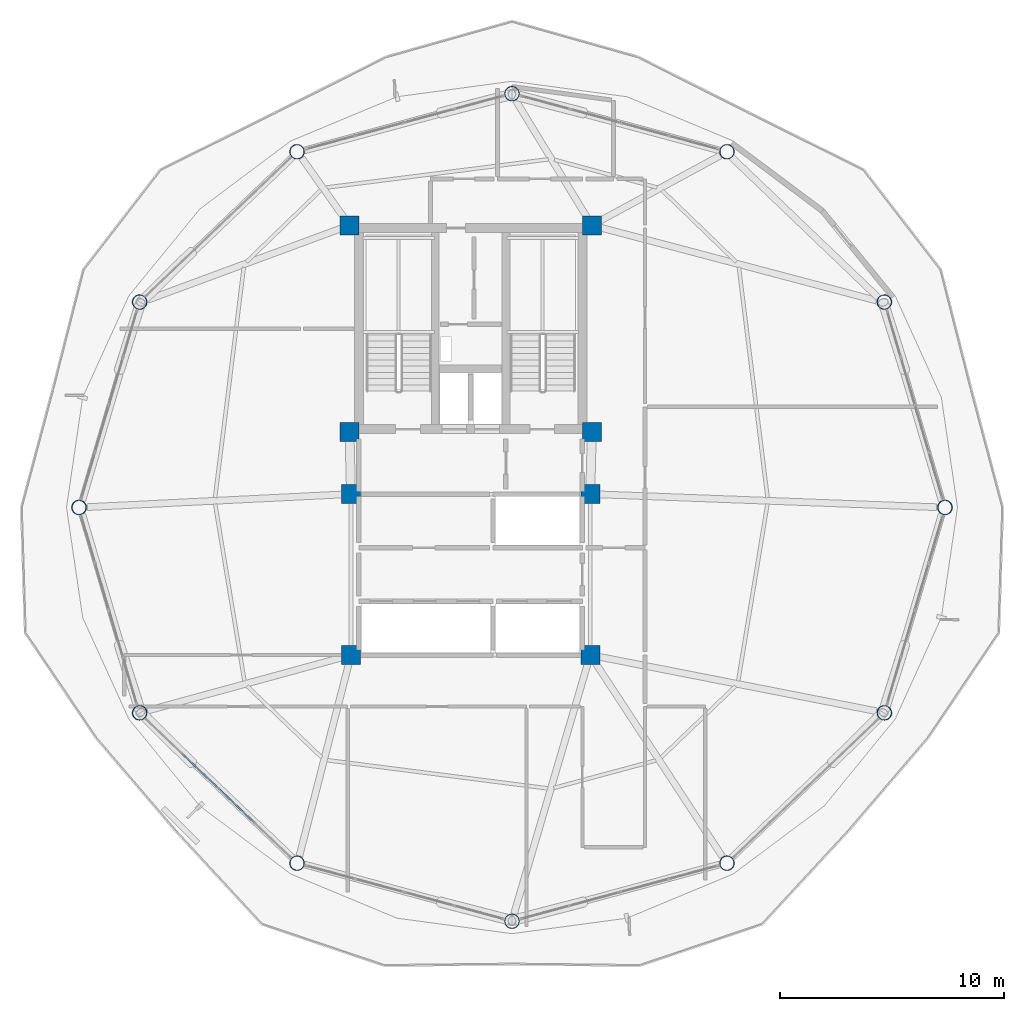
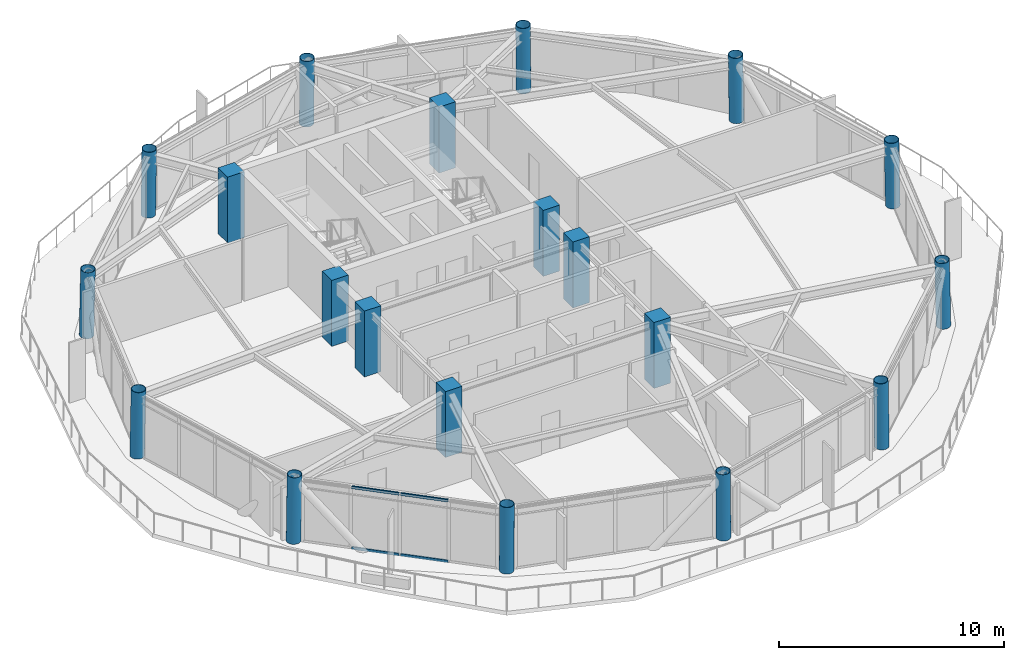
# One storey, part 1 of 28: 20 columns, 4 members, 1 element without a shape of its own.
"""IFC4 building model written with IfcOpenShell, lengths in metres."""

from ifc_helpers import new_model, si_unit, direction, frame, origin, origin_2d, place, context, subcontext, project, spatial, rectangle, hollow_rectangle, hollow_circle, extrude, material, layer, layer_set, material_profile, profile_set, type_object, element, aggregate, save


model = new_model("IFC4")

# Units and contexts
model_context = context("Model", 3, precision=1e-05, world=origin(), true_north=direction((0.0, 1.0)))
body_context = subcontext(model_context, "Body", "Model", "MODEL_VIEW")
ifc_project = project(units=[si_unit("LENGTHUNIT", "METRE"), si_unit("AREAUNIT", "SQUARE_METRE"), si_unit("VOLUMEUNIT", "CUBIC_METRE"), si_unit("PLANEANGLEUNIT", "RADIAN"), si_unit("MASSUNIT", "GRAM", prefix="KILO")], contexts=[model_context])

# Site, building, storey
site_placement = place(None, origin())
site = spatial("IfcSite", under=ifc_project, at=site_placement, CompositionType="ELEMENT")
building_placement = place(site_placement, origin())
building = spatial("IfcBuilding", under=site, at=building_placement, Name="Varnakorn Sky Granary", CompositionType="ELEMENT")
storey_placement = place(building_placement, frame((0.0, 0.0, 200.39990234375)))
storey = spatial("IfcBuildingStorey", under=building, at=storey_placement, Name="L50", CompositionType="ELEMENT", Elevation=200.39990234375)

# Columns
ifc_material_1 = material(Name="Steel S460M", Category="steel")
ifc_material_profile_1 = material_profile(ifc_material_1, hollow_circle(Radius=0.330078125, WallThickness=0.02490234375, at=origin_2d()), Name="CHS 660x25")
ifc_profile_set_1 = profile_set([ifc_material_profile_1], Name="Steel S460M")
column_type_1 = type_object("IfcColumnType", Name="COL-DC-Z4", PredefinedType="COLUMN", material=ifc_profile_set_1)
column_1_placement = place(storey_placement, frame((24.22607421875, 0.0, 0.0), z_axis=(-0.01904871465, 0.0, 0.999818556774), x_axis=(0.0, -1.0, 0.0)))
element("IfcColumn", 1, at=column_1_placement, inside=storey, type_object=column_type_1, Name="Drum Perimeter Column DC01 L50", PredefinedType="COLUMN", context=body_context, shape_type="SweptSolid", body=[
    extrude(hollow_circle(Radius=0.330078125, WallThickness=0.02490234375, at=origin_2d()), origin(), (0.0, 0.0, 1.0), 3.575927734375),
])
column_2_placement = place(storey_placement, frame((21.51318359375, 9.18896484375, 0.0), z_axis=(-0.01645484131, -0.004711137139, 0.999853510963), x_axis=(0.275247949014, -0.961373271193, 0.0)))
element("IfcColumn", 2, at=column_2_placement, inside=storey, type_object=column_type_1, Name="Drum Perimeter Column DC02 L50", PredefinedType="COLUMN", context=body_context, shape_type="SweptSolid", body=[
    extrude(hollow_circle(Radius=0.330078125, WallThickness=0.02490234375, at=origin_2d()), origin(), (0.0, 0.0, 1.0), 3.57568359375),
])
for number, where, z_axis, x_axis, name in (
    (3, (14.470458984375, 15.915771484375, 0.0), (-0.009491195893, -0.008193838181, 0.999921386018), (0.653478078623, -0.756945441072, 0.0), "Drum Perimeter Column DC03 L50"),
    (4, (4.85009765625, 18.512939453125, 0.0), (0.0, -0.009491514524, 0.999954954561), (1.0, 0.0, 0.0), "Drum Perimeter Column DC04 L50"),
    (5, (-4.7705078125, 15.915771484375, 0.0), (0.009491195893, -0.008193838181, 0.999921386018), (0.653478078623, 0.756945441072, 0.0), "Drum Perimeter Column DC05 L50"),
):
    element("IfcColumn", number, at=place(storey_placement, frame(where, z_axis=z_axis, x_axis=x_axis)), inside=storey, type_object=column_type_1, Name=name, PredefinedType="COLUMN", context=body_context, shape_type="SweptSolid", body=[
        extrude(hollow_circle(Radius=0.330078125, WallThickness=0.02490234375, at=origin_2d()), origin(), (0.0, 0.0, 1.0), 3.575439453125),
    ])
column_3_placement = place(storey_placement, frame((-11.813232421875, 9.18896484375, 0.0), z_axis=(0.01645484131, -0.004711137139, 0.999853510963), x_axis=(0.275247949014, 0.961373271193, 0.0)))
element("IfcColumn", 6, at=column_3_placement, inside=storey, type_object=column_type_1, Name="Drum Perimeter Column DC06 L50", PredefinedType="COLUMN", context=body_context, shape_type="SweptSolid", body=[
    extrude(hollow_circle(Radius=0.330078125, WallThickness=0.02490234375, at=origin_2d()), origin(), (0.0, 0.0, 1.0), 3.57568359375),
])
column_4_placement = place(storey_placement, frame((-14.52587890625, 0.0, 0.0), z_axis=(0.018980464328, 0.0, 0.999819854761), x_axis=(0.0, 1.0, 0.0)))
element("IfcColumn", 7, at=column_4_placement, inside=storey, type_object=column_type_1, Name="Drum Perimeter Column DC07 L50", PredefinedType="COLUMN", context=body_context, shape_type="SweptSolid", body=[
    extrude(hollow_circle(Radius=0.330078125, WallThickness=0.02490234375, at=origin_2d()), origin(), (0.0, 0.0, 1.0), 3.575927734375),
])
column_5_placement = place(storey_placement, frame((-11.813232421875, -9.18896484375, 0.0), z_axis=(0.01645484131, 0.004711137139, 0.999853510963), x_axis=(-0.275247949014, 0.961373271193, 0.0)))
element("IfcColumn", 8, at=column_5_placement, inside=storey, type_object=column_type_1, Name="Drum Perimeter Column DC08 L50", PredefinedType="COLUMN", context=body_context, shape_type="SweptSolid", body=[
    extrude(hollow_circle(Radius=0.330078125, WallThickness=0.02490234375, at=origin_2d()), origin(), (0.0, 0.0, 1.0), 3.57568359375),
])
for number, where, z_axis, x_axis, name in (
    (9, (-4.7705078125, -15.915771484375, 0.0), (0.009491195893, 0.008193838181, 0.999921386018), (-0.653478078623, 0.756945441072, 0.0), "Drum Perimeter Column DC09 L50"),
    (10, (4.85009765625, -18.512939453125, 0.0), (0.0, 0.009491514524, 0.999954954561), (-1.0, 0.0, 0.0), "Drum Perimeter Column DC10 L50"),
    (11, (14.470458984375, -15.915771484375, 0.0), (-0.009491195893, 0.008193838181, 0.999921386018), (-0.653478078623, -0.756945441072, 0.0), "Drum Perimeter Column DC11 L50"),
):
    element("IfcColumn", number, at=place(storey_placement, frame(where, z_axis=z_axis, x_axis=x_axis)), inside=storey, type_object=column_type_1, Name=name, PredefinedType="COLUMN", context=body_context, shape_type="SweptSolid", body=[
        extrude(hollow_circle(Radius=0.330078125, WallThickness=0.02490234375, at=origin_2d()), origin(), (0.0, 0.0, 1.0), 3.575439453125),
    ])
column_6_placement = place(storey_placement, frame((21.51318359375, -9.18896484375, 0.0), z_axis=(-0.01645484131, 0.004711137139, 0.999853510963), x_axis=(-0.275247949014, -0.961373271193, 0.0)))
element("IfcColumn", 12, at=column_6_placement, inside=storey, type_object=column_type_1, Name="Drum Perimeter Column DC12 L50", PredefinedType="COLUMN", context=body_context, shape_type="SweptSolid", body=[
    extrude(hollow_circle(Radius=0.330078125, WallThickness=0.02490234375, at=origin_2d()), origin(), (0.0, 0.0, 1.0), 3.57568359375),
])
ifc_material_2 = material(Name="Concrete C50/60", Category="concrete")
ifc_material_profile_2 = material_profile(ifc_material_2, rectangle(XDim=0.85009765625, YDim=0.85009765625, at=origin_2d()), Name="RC 850x850")
ifc_profile_set_2 = profile_set([ifc_material_profile_2], Name="Concrete C50/60")
column_type_2 = type_object("IfcColumnType", Name="COL-MC-Z4", PredefinedType="COLUMN", material=ifc_profile_set_2)
for number, where, z_axis, x_axis, name in (
    (13, (-2.419921875, 12.6201171875, 0.0), (0.0, 0.0, 1.0), (1.0, 0.0, 0.0), "Backbone Mega-Column MC1 L50"),
    (14, (8.419921875, 12.6201171875, 0.0), (0.0, 0.0, 1.0), (1.0, 0.0, 0.0), "Backbone Mega-Column MC2 L50"),
    (15, (-2.419921875, 3.3798828125, 0.0), (0.0, 0.0, 1.0), (1.0, 0.0, 0.0), "Backbone Mega-Column MC3 L50"),
    (16, (8.419921875, 3.3798828125, 0.0), (0.0, 0.0, 1.0), (1.0, 0.0, 0.0), "Backbone Mega-Column MC4 L50"),
    (17, (-2.35009765625, 0.60009765625, 0.0), (0.0, 0.0, 1.0), (1.0, 0.0, 0.0), "Backbone Mega-Column MC5 L50"),
    (18, (8.35009765625, 0.60009765625, 0.0), (0.0, 0.0, 1.0), (1.0, 0.0, 0.0), "Backbone Mega-Column MC6 L50"),
    (19, (-2.35009765625, -6.60009765625, 0.0), (0.0, 0.0, 1.0), (1.0, 0.0, 0.0), "Backbone Mega-Column MC7 L50"),
    (20, (8.35009765625, -6.60009765625, 0.0), (0.0, 0.0, 1.0), (1.0, 0.0, 0.0), "Backbone Mega-Column MC8 L50"),
):
    element("IfcColumn", number, at=place(storey_placement, frame(where, z_axis=z_axis, x_axis=x_axis)), inside=storey, type_object=column_type_2, Name=name, PredefinedType="COLUMN", context=body_context, shape_type="SweptSolid", body=[
        extrude(rectangle(XDim=0.85009765625, YDim=0.85009765625, at=origin_2d()), origin(), (0.0, 0.0, 1.0), 3.5751953125),
    ])

# Curtain wall, members
ifc_material_3 = material(Name="Anodised Bronze Aluminium Alloy 6063-T6", Category="aluminium")
ifc_layer = layer(ifc_material_3, 0.169921875, Name="Anodised Bronze Aluminium Alloy 6063-T6")
ifc_layer_set = layer_set([ifc_layer], Name="Anodised Bronze Aluminium Alloy 6063-T6")
curtain_wall_type = type_object("IfcCurtainWallType", Name="CW-LAB-1", PredefinedType="USERDEFINED", material=ifc_layer_set)
curtain_wall_placement = place(storey_placement, origin())
curtain_wall = element("IfcCurtainWall", 21, at=curtain_wall_placement, inside=storey, type_object=curtain_wall_type, Name="Unitised Curtain Wall CW5 CW-L50-B08", ObjectType="CURTAIN WALL", PredefinedType="USERDEFINED")
ifc_material_profile_3 = material_profile(ifc_material_3, hollow_rectangle(XDim=0.070068359375, YDim=0.139892578125, WallThickness=0.00341796875, at=origin_2d()), Name="ALU TRAN 70x140")
ifc_profile_set_3 = profile_set([ifc_material_profile_3], Name="Anodised Bronze Aluminium Alloy 6063-T6")
member_type = type_object("IfcMemberType", Name="CW-LAB-1-TRAN", PredefinedType="USERDEFINED", material=ifc_profile_set_3)
member_1_placement = place(storey_placement, frame((-6.695556640625, -14.076904296875, 0.03515625), z_axis=(-0.723197507605, 0.690641270845, 0.0), x_axis=(-0.690641270845, -0.723197507605, 0.0)))
member_1 = element("IfcMember", 22, at=member_1_placement, type_object=member_type, Name="CW5 transom 2.1", ObjectType="TRANSOM", PredefinedType="USERDEFINED", context=body_context, shape_type="SweptSolid", body=[
    extrude(hollow_rectangle(XDim=0.070068359375, YDim=0.139892578125, WallThickness=0.00341796875, at=origin_2d()), origin(), (0.0, 0.0, 1.0), 2.1748046875),
])
member_2_placement = place(storey_placement, frame((-6.695556640625, -14.076904296875, 3.3251953125), z_axis=(-0.723197507605, 0.690641270845, 0.0), x_axis=(-0.690641270845, -0.723197507605, 0.0)))
member_2 = element("IfcMember", 23, at=member_2_placement, type_object=member_type, Name="CW5 transom 2.2", ObjectType="TRANSOM", PredefinedType="USERDEFINED", context=body_context, shape_type="SweptSolid", body=[
    extrude(hollow_rectangle(XDim=0.070068359375, YDim=0.139892578125, WallThickness=0.00341796875, at=origin_2d()), origin(), (0.0, 0.0, 1.0), 2.1748046875),
])
member_3_placement = place(storey_placement, frame((-8.3154296875, -12.530029296875, 0.03515625), z_axis=(-0.723087878394, 0.690756049644, 0.0), x_axis=(-0.690756049644, -0.723087878394, 0.0)))
member_3 = element("IfcMember", 24, at=member_3_placement, type_object=member_type, Name="CW5 transom 3.1", ObjectType="TRANSOM", PredefinedType="USERDEFINED", context=body_context, shape_type="SweptSolid", body=[
    extrude(hollow_rectangle(XDim=0.070068359375, YDim=0.139892578125, WallThickness=0.00341796875, at=origin_2d()), origin(), (0.0, 0.0, 1.0), 2.1748046875),
])
member_4_placement = place(storey_placement, frame((-8.3154296875, -12.530029296875, 3.3251953125), z_axis=(-0.723087878394, 0.690756049644, 0.0), x_axis=(-0.690756049644, -0.723087878394, 0.0)))
member_4 = element("IfcMember", 25, at=member_4_placement, type_object=member_type, Name="CW5 transom 3.2", ObjectType="TRANSOM", PredefinedType="USERDEFINED", context=body_context, shape_type="SweptSolid", body=[
    extrude(hollow_rectangle(XDim=0.070068359375, YDim=0.139892578125, WallThickness=0.00341796875, at=origin_2d()), origin(), (0.0, 0.0, 1.0), 2.1748046875),
])
aggregate(curtain_wall, [member_1, member_2, member_3, member_4])

save(model, "model.ifc")
